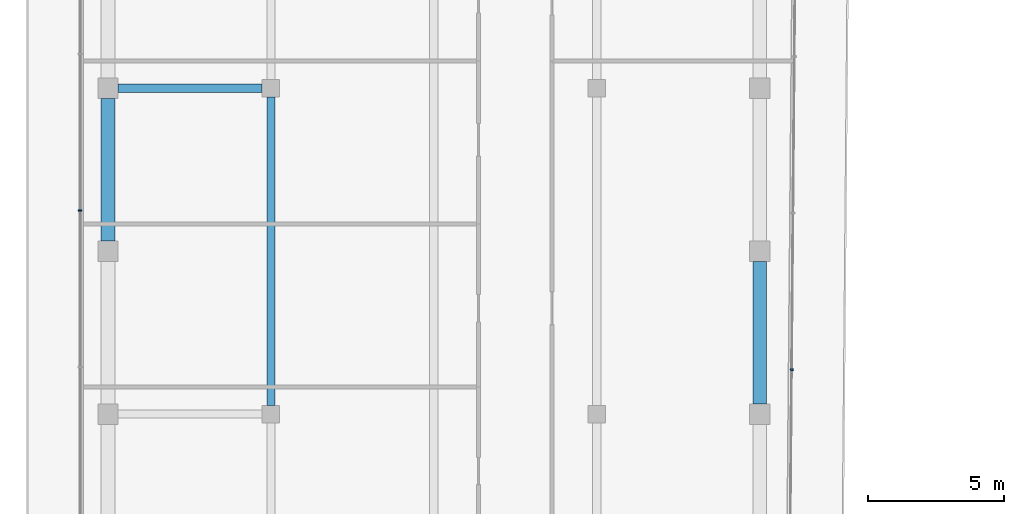
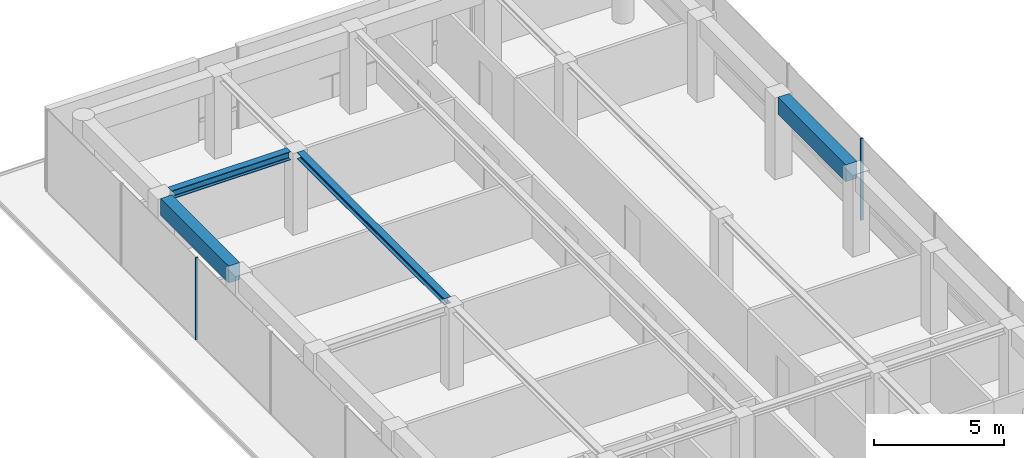
# One storey, part 10 of 18: 4 beams, 2 members, 2 elements without a shape of their own.
"""IFC4 building model written with IfcOpenShell, lengths in metres."""

from ifc_helpers import new_model, si_unit, direction, frame, origin, origin_2d, place, context, subcontext, project, spatial, rectangle, i_section, extrude, material, layer, layer_set, material_profile, profile_set, type_object, element, aggregate, save


model = new_model("IFC4")

# Units and contexts
model_context = context("Model", 3, precision=1e-05, world=origin(), true_north=direction((0.0, 1.0)))
body_context = subcontext(model_context, "Body", "Model", "MODEL_VIEW")
ifc_project = project(units=[si_unit("LENGTHUNIT", "METRE"), si_unit("AREAUNIT", "SQUARE_METRE"), si_unit("VOLUMEUNIT", "CUBIC_METRE"), si_unit("PLANEANGLEUNIT", "RADIAN"), si_unit("MASSUNIT", "GRAM", prefix="KILO")], contexts=[model_context])

# Site, building, storey
site_placement = place(None, origin())
site = spatial("IfcSite", under=ifc_project, at=site_placement, CompositionType="ELEMENT")
building_placement = place(site_placement, origin())
building = spatial("IfcBuilding", under=site, at=building_placement, Name="Welwitschia Terrace Campus", CompositionType="ELEMENT")
storey_placement = place(building_placement, frame((0.0, 0.0, 285.199951171875)))
storey = spatial("IfcBuildingStorey", under=building, at=storey_placement, Name="L63", CompositionType="ELEMENT", Elevation=285.199951171875)

# Beam
ifc_material_1 = material(Name="Steel S355", Category="steel")
ifc_material_profile_1 = material_profile(ifc_material_1, i_section(OverallWidth=0.300048828125, OverallDepth=0.300048828125, WebThickness=0.010986328125, FlangeThickness=0.01904296875, FilletRadius=0.027099609375, at=origin_2d()))
ifc_profile_set_1 = profile_set([ifc_material_profile_1], Name="Steel S355")
beam_type_1 = type_object("IfcBeamType", Name="Interior girder HE 300 B", PredefinedType="BEAM", material=ifc_profile_set_1)
beam_1_placement = place(storey_placement, frame((6.0, 44.325439453125, 3.699951171875), z_axis=(0.0, 1.0, 0.0), x_axis=(-1.0, 0.0, 0.0)))
element("IfcBeam", 1, at=beam_1_placement, inside=storey, type_object=beam_type_1, Name="Girder GB6", PredefinedType="BEAM", context=body_context, shape_type="SweptSolid", body=[
    extrude(i_section(OverallWidth=0.300048828125, OverallDepth=0.300048828125, WebThickness=0.010986328125, FlangeThickness=0.01904296875, FilletRadius=0.027099609375, at=origin_2d()), origin(), (0.0, 0.0, 1.0), 11.34912109375),
])

# Curtain wall, member
ifc_material_2 = material(Name="Bronze anodised aluminium", Category="aluminium")
ifc_layer = layer(ifc_material_2, 0.1201171875)
ifc_layer_set = layer_set([ifc_layer], Name="Bronze anodised aluminium")
curtain_wall_type = type_object("IfcCurtainWallType", Name="Curtain wall CW2 tower 6000", PredefinedType="NOTDEFINED", material=ifc_layer_set)
curtain_wall_1_placement = place(storey_placement, origin())
curtain_wall_1 = element("IfcCurtainWall", 2, at=curtain_wall_1_placement, inside=storey, type_object=curtain_wall_type, Name="CW L63.1.0", PredefinedType="NOTDEFINED")
ifc_material_3 = material(Name="Bronze anodised aluminium", Category="aluminium")
ifc_material_profile_2 = material_profile(ifc_material_3, rectangle(XDim=0.1201171875, YDim=0.06005859375, at=origin_2d()))
ifc_profile_set_2 = profile_set([ifc_material_profile_2], Name="Bronze anodised aluminium")
member_type = type_object("IfcMemberType", Name="Mullion 60x120", PredefinedType="MULLION", material=ifc_profile_set_2)
member_1_placement = place(storey_placement, frame((-1.030029296875, 51.504638671875, 0.0), z_axis=(0.0, 0.0, 1.0), x_axis=(1.0, 0.0, 0.0)))
member_1 = element("IfcMember", 3, at=member_1_placement, type_object=member_type, Name="Mullion L63.1.0.2", PredefinedType="MULLION", context=body_context, shape_type="SweptSolid", body=[
    extrude(rectangle(XDim=0.1201171875, YDim=0.06005859375, at=origin_2d()), origin(), (0.0, 0.0, 1.0), 3.85009765625),
])
aggregate(curtain_wall_1, [member_1])

curtain_wall_2_placement = place(storey_placement, origin())
curtain_wall_2 = element("IfcCurtainWall", 4, at=curtain_wall_2_placement, inside=storey, type_object=curtain_wall_type, Name="CW L63.10.0", PredefinedType="NOTDEFINED")
member_2_placement = place(storey_placement, frame((25.180908203125, 45.635986328125, 0.0), z_axis=(0.0, 0.0, 1.0), x_axis=(-0.999961923064, 0.008726535498, 0.0)))
member_2 = element("IfcMember", 5, at=member_2_placement, type_object=member_type, Name="Mullion L63.10.0.3", PredefinedType="MULLION", context=body_context, shape_type="SweptSolid", body=[
    extrude(rectangle(XDim=0.1201171875, YDim=0.06005859375, at=origin_2d()), origin(), (0.0, 0.0, 1.0), 3.85009765625),
])
aggregate(curtain_wall_2, [member_2])

# Beams
ifc_material_4 = material(Name="Steel S355", Category="steel")
ifc_material_profile_3 = material_profile(ifc_material_4, i_section(OverallWidth=0.300048828125, OverallDepth=0.39990234375, WebThickness=0.013427734375, FlangeThickness=0.02392578125, FilletRadius=0.027099609375, at=origin_2d()))
ifc_profile_set_3 = profile_set([ifc_material_profile_3], Name="Steel S355")
beam_type_2 = type_object("IfcBeamType", Name="Primary beam HE 400 B", PredefinedType="BEAM", material=ifc_profile_set_3)
beam_2_placement = place(storey_placement, frame((0.37548828125, 56.0, 3.650146484375), z_axis=(1.0, 0.0, 0.0), x_axis=(0.0, 1.0, 0.0)))
element("IfcBeam", 6, at=beam_2_placement, inside=storey, type_object=beam_type_2, Name="Primary beam PB6", PredefinedType="BEAM", context=body_context, shape_type="SweptSolid", body=[
    extrude(i_section(OverallWidth=0.300048828125, OverallDepth=0.39990234375, WebThickness=0.013427734375, FlangeThickness=0.02392578125, FilletRadius=0.027099609375, at=origin_2d()), origin(), (0.0, 0.0, 1.0), 5.299072265625),
])
ifc_material_5 = material(Name="Concrete C50/60", Category="concrete")
ifc_material_profile_4 = material_profile(ifc_material_5, rectangle(XDim=0.5, YDim=0.800048828125, at=origin_2d()))
ifc_profile_set_4 = profile_set([ifc_material_profile_4], Name="Concrete C50/60")
beam_type_3 = type_object("IfcBeamType", Name="Ring spandrel 500x800", PredefinedType="SPANDREL", material=ifc_profile_set_4)
for number, where, z_axis, x_axis, name in (
    (7, (24.0, 44.37548828125, 3.449951171875), (0.0, 1.0, 0.0), (-1.0, 0.0, 0.0), "Spandrel SP4"),
    (8, (0.0, 55.62451171875, 3.449951171875), (0.0, -1.0, 0.0), (1.0, 0.0, 0.0), "Spandrel SP4"),
):
    element("IfcBeam", number, at=place(storey_placement, frame(where, z_axis=z_axis, x_axis=x_axis)), inside=storey, type_object=beam_type_3, Name=name, PredefinedType="SPANDREL", context=body_context, shape_type="SweptSolid", body=[
        extrude(rectangle(XDim=0.5, YDim=0.800048828125, at=origin_2d()), origin(), (0.0, 0.0, 1.0), 5.2490234375),
    ])

save(model, "model.ifc")
